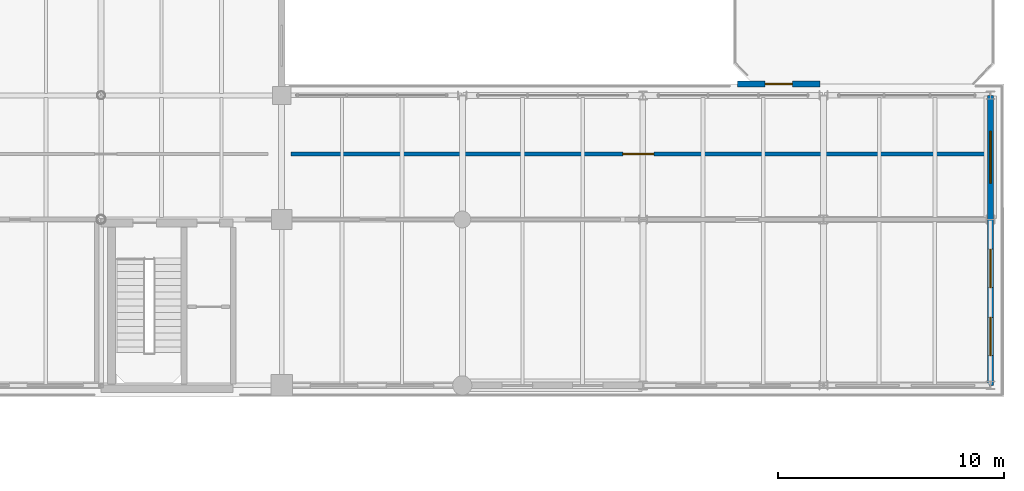
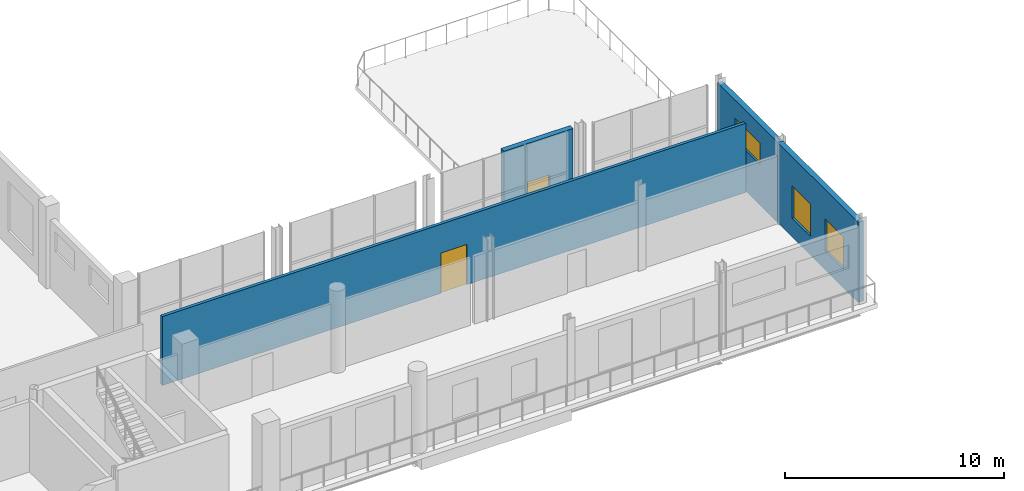
# One storey, part 39 of 51: 4 walls, 3 windows, 2 doors, 5 openings.
"""IFC4 building model written with IfcOpenShell, lengths in metres."""

from ifc_helpers import new_model, si_unit, direction, frame, frame_2d, origin, place, context, subcontext, project, spatial, rectangle, extrude, material, layer, layer_set, type_object, element, fill, save


model = new_model("IFC4")

# Units and contexts
model_context = context("Model", 3, precision=1e-05, world=origin(), true_north=direction((0.0, 1.0)))
body_context = subcontext(model_context, "Body", "Model", "MODEL_VIEW")
ifc_project = project(units=[si_unit("LENGTHUNIT", "METRE"), si_unit("AREAUNIT", "SQUARE_METRE"), si_unit("VOLUMEUNIT", "CUBIC_METRE"), si_unit("PLANEANGLEUNIT", "RADIAN"), si_unit("MASSUNIT", "GRAM", prefix="KILO")], contexts=[model_context])

# Site, building, storey
site_placement = place(None, origin())
site = spatial("IfcSite", under=ifc_project, at=site_placement, CompositionType="ELEMENT")
building_placement = place(site_placement, origin())
building = spatial("IfcBuilding", under=site, at=building_placement, Name="Brisemont Oceanarium", CompositionType="ELEMENT")
storey_placement = place(building_placement, frame((0.0, 0.0, 15.0)))
storey = spatial("IfcBuildingStorey", under=building, at=storey_placement, Name="L03", CompositionType="ELEMENT", Elevation=15.0)

# Wall, opening, door
ifc_material_1 = material(Name="Beaux-Arts Limestone Cladding Precast Concrete C40/50", Category="masonry")
ifc_layer_1 = layer(ifc_material_1, 0.280029296875)
ifc_layer_set_1 = layer_set([ifc_layer_1], Name="Beaux-Arts Limestone Cladding Precast Concrete C40/50")
wall_type_1 = type_object("IfcWallType", Name="EW-LIME-280", PredefinedType="STANDARD", material=ifc_layer_set_1)
wall_1_placement = place(storey_placement, frame((148.199951171875, 94.0, 0.0), z_axis=(0.0, 0.0, 1.0), x_axis=(1.0, 0.0, 0.0)))
wall_1 = element("IfcWall", 1, at=wall_1_placement, inside=storey, type_object=wall_type_1, Name="Beaux-Arts exterior wall EW-V6TER-L03", PredefinedType="STANDARD", context=body_context, shape_type="SweptSolid", body=[
    extrude(rectangle(XDim=3.64013671875, YDim=0.280029296875, at=frame_2d((1.820068359375, 0.0))), origin(), (0.0, 0.0, 1.0), 4.300048828125),
])
opening_1_placement = place(wall_1_placement, frame((1.219970703125, 0.0, 0.0)))
opening_1 = element("IfcOpeningElement", 2, at=opening_1_placement, cuts=wall_1, Name="Opening ED-02", PredefinedType="OPENING", context=body_context, shape_type="SweptSolid", body=[
    extrude(rectangle(XDim=1.199951171875, YDim=2.14990234375, at=frame_2d((0.60009765625, 1.074951171875))), frame((0.0, 0.14990234375, 0.0), z_axis=(0.0, -1.0, 0.0), x_axis=(1.0, 0.0, 0.0)), (0.0, 0.0, 1.0), 0.300048828125),
])
ifc_material_2 = material(Name="Anodized Extruded Aluminum 6063-T6", Category="aluminium")
door_type_1 = type_object("IfcDoorType", Name="DR-TER-1200X2150", OperationType="NOTDEFINED", PredefinedType="DOOR", material=ifc_material_2)
door_1_placement = place(opening_1_placement, origin())
door_1 = element("IfcDoor", 3, at=door_1_placement, inside=storey, type_object=door_type_1, Name="ED-02 exterior entrance door 10", OperationType="SINGLE_SWING_LEFT", OverallHeight=2.14990234375, OverallWidth=1.199951171875, PredefinedType="DOOR", context=body_context, shape_type="SweptSolid", body=[
    extrude(rectangle(XDim=1.199951171875, YDim=2.14990234375, at=frame_2d((0.60009765625, 1.074951171875))), frame((0.0, 0.02490234375, 0.0), z_axis=(0.0, -1.0, 0.0), x_axis=(1.0, 0.0, 0.0)), (0.0, 0.0, 1.0), 0.050048828125),
])
fill(opening_1, door_1)

# Wall, openings, windows
wall_2_placement = place(storey_placement, frame((159.39990234375, 80.64990234375, 0.0), z_axis=(0.0, 0.0, 1.0), x_axis=(0.0, 1.0, 0.0)))
wall_2 = element("IfcWall", 4, at=wall_2_placement, inside=storey, type_object=wall_type_1, Name="Beaux-Arts exterior wall EW-V6-E-L03-1", PredefinedType="STANDARD", context=body_context, shape_type="SweptSolid", body=[
    extrude(rectangle(XDim=7.35009765625, YDim=0.280029296875, at=frame_2d((3.675048828125, 0.0))), origin(), (0.0, 0.0, 1.0), 4.47998046875),
])
opening_2_placement = place(wall_2_placement, frame((1.316650390625, 0.0, 1.050048828125)))
opening_2 = element("IfcOpeningElement", 5, at=opening_2_placement, cuts=wall_2, Name="Opening WIN-11", PredefinedType="OPENING", context=body_context, shape_type="SweptSolid", body=[
    extrude(rectangle(XDim=1.699951171875, YDim=1.800048828125, at=frame_2d((0.85009765625, 0.89990234375))), frame((0.0, 0.14990234375, 0.0), z_axis=(0.0, -1.0, 0.0), x_axis=(1.0, 0.0, 0.0)), (0.0, 0.0, 1.0), 0.300048828125),
])
opening_3_placement = place(wall_2_placement, frame((4.333251953125, 0.0, 1.050048828125)))
opening_3 = element("IfcOpeningElement", 6, at=opening_3_placement, cuts=wall_2, Name="Opening WIN-11", PredefinedType="OPENING", context=body_context, shape_type="SweptSolid", body=[
    extrude(rectangle(XDim=1.699951171875, YDim=1.800048828125, at=frame_2d((0.85009765625, 0.89990234375))), frame((0.0, 0.14990234375, 0.0), z_axis=(0.0, -1.0, 0.0), x_axis=(1.0, 0.0, 0.0)), (0.0, 0.0, 1.0), 0.300048828125),
])
ifc_material_3 = material(Name="Insulated Low-E Laminated Glass", Category="glass")
window_type_1 = type_object("IfcWindowType", Name="WIN-LAB-1700X1800", PartitioningType="SINGLE_PANEL", PredefinedType="WINDOW", material=ifc_material_3)
window_1_placement = place(opening_2_placement, origin())
window_1 = element("IfcWindow", 7, at=window_1_placement, inside=storey, type_object=window_type_1, Name="WIN-11 facade window 119", OverallHeight=1.800048828125, OverallWidth=1.699951171875, PartitioningType="SINGLE_PANEL", PredefinedType="WINDOW", context=body_context, shape_type="SweptSolid", body=[
    extrude(rectangle(XDim=1.699951171875, YDim=1.800048828125, at=frame_2d((0.85009765625, 0.89990234375))), frame((0.0, 0.030029296875, 0.0), z_axis=(0.0, -1.0, 0.0), x_axis=(1.0, 0.0, 0.0)), (0.0, 0.0, 1.0), 0.06005859375),
])
fill(opening_2, window_1)
window_2_placement = place(opening_3_placement, origin())
window_2 = element("IfcWindow", 8, at=window_2_placement, inside=storey, type_object=window_type_1, Name="WIN-11 facade window 120", OverallHeight=1.800048828125, OverallWidth=1.699951171875, PartitioningType="SINGLE_PANEL", PredefinedType="WINDOW", context=body_context, shape_type="SweptSolid", body=[
    extrude(rectangle(XDim=1.699951171875, YDim=1.800048828125, at=frame_2d((0.85009765625, 0.89990234375))), frame((0.0, 0.030029296875, 0.0), z_axis=(0.0, -1.0, 0.0), x_axis=(1.0, 0.0, 0.0)), (0.0, 0.0, 1.0), 0.06005859375),
])
fill(opening_3, window_2)

# Wall, opening, window
wall_3_placement = place(storey_placement, frame((159.39990234375, 88.0, 0.0), z_axis=(0.0, 0.0, 1.0), x_axis=(0.0, 1.0, 0.0)))
wall_3 = element("IfcWall", 9, at=wall_3_placement, inside=storey, type_object=wall_type_1, Name="Beaux-Arts exterior wall EW-V6-E-L03-2", PredefinedType="STANDARD", context=body_context, shape_type="SweptSolid", body=[
    extrude(rectangle(XDim=5.5, YDim=0.280029296875, at=frame_2d((2.75, 0.0))), origin(), (0.0, 0.0, 1.0), 4.47998046875),
])
opening_4_placement = place(wall_3_placement, frame((1.60009765625, 0.0, 2.25)))
opening_4 = element("IfcOpeningElement", 10, at=opening_4_placement, cuts=wall_3, Name="Opening WIN-13", PredefinedType="OPENING", context=body_context, shape_type="SweptSolid", body=[
    extrude(rectangle(XDim=2.300048828125, YDim=1.199951171875, at=frame_2d((1.14990234375, 0.60009765625))), frame((0.0, 0.14990234375, 0.0), z_axis=(0.0, -1.0, 0.0), x_axis=(1.0, 0.0, 0.0)), (0.0, 0.0, 1.0), 0.300048828125),
])
ifc_material_4 = material(Name="Insulated Low-E Laminated Glass", Category="glass")
window_type_2 = type_object("IfcWindowType", Name="WIN-CLR-2300X1200", PartitioningType="SINGLE_PANEL", PredefinedType="WINDOW", material=ifc_material_4)
window_3_placement = place(opening_4_placement, origin())
window_3 = element("IfcWindow", 11, at=window_3_placement, inside=storey, type_object=window_type_2, Name="WIN-13 facade window 121", OverallHeight=1.199951171875, OverallWidth=2.300048828125, PartitioningType="SINGLE_PANEL", PredefinedType="WINDOW", context=body_context, shape_type="SweptSolid", body=[
    extrude(rectangle(XDim=2.300048828125, YDim=1.199951171875, at=frame_2d((1.14990234375, 0.60009765625))), frame((0.0, 0.030029296875, 0.0), z_axis=(0.0, -1.0, 0.0), x_axis=(1.0, 0.0, 0.0)), (0.0, 0.0, 1.0), 0.06005859375),
])
fill(opening_4, window_3)

# Wall, opening, door
ifc_material_5 = material(Name="Moisture-Resistant Gypsum Steel-Stud Partition", Category="steel")
ifc_layer_2 = layer(ifc_material_5, 0.159912109375)
ifc_layer_set_2 = layer_set([ifc_layer_2], Name="Moisture-Resistant Gypsum Steel-Stud Partition")
wall_type_2 = type_object("IfcWallType", Name="IW-FB-160", PredefinedType="PARTITIONING", material=ifc_layer_set_2)
wall_4_placement = place(storey_placement, frame((128.39990234375, 90.89990234375, 0.0), z_axis=(0.0, 0.0, 1.0), x_axis=(1.0, 0.0, 0.0)))
wall_4 = element("IfcWall", 12, at=wall_4_placement, inside=storey, type_object=wall_type_2, Name="Benthic Ecology Specimen Studio corridor partition", PredefinedType="PARTITIONING", context=body_context, shape_type="SweptSolid", body=[
    extrude(rectangle(XDim=30.800048828125, YDim=0.159912109375, at=frame_2d((15.39990234375, 0.0))), origin(), (0.0, 0.0, 1.0), 3.85693359375),
])
opening_5_placement = place(wall_4_placement, frame((14.7099609375, 0.0, 0.0)))
opening_5 = element("IfcOpeningElement", 13, at=opening_5_placement, cuts=wall_4, Name="Opening PD-01", PredefinedType="OPENING", context=body_context, shape_type="SweptSolid", body=[
    extrude(rectangle(XDim=1.3798828125, YDim=2.25, at=frame_2d((0.68994140625, 1.125))), frame((0.0, 0.08984375, 0.0), z_axis=(0.0, -1.0, 0.0), x_axis=(1.0, 0.0, 0.0)), (0.0, 0.0, 1.0), 0.179931640625),
])
ifc_material_6 = material(Name="Duplex Stainless Steel EN 1.4462", Category="steel")
door_type_2 = type_object("IfcDoorType", Name="DR-PLT-1380X2250", OperationType="NOTDEFINED", PredefinedType="DOOR", material=ifc_material_6)
door_2_placement = place(opening_5_placement, origin())
door_2 = element("IfcDoor", 14, at=door_2_placement, inside=storey, type_object=door_type_2, Name="PD-01 door to Benthic Ecology Specimen Studio", OperationType="SINGLE_SWING_LEFT", OverallHeight=2.25, OverallWidth=1.3798828125, PredefinedType="DOOR", context=body_context, shape_type="SweptSolid", body=[
    extrude(rectangle(XDim=1.3798828125, YDim=2.25, at=frame_2d((0.68994140625, 1.125))), frame((0.0, 0.02490234375, 0.0), z_axis=(0.0, -1.0, 0.0), x_axis=(1.0, 0.0, 0.0)), (0.0, 0.0, 1.0), 0.050048828125),
])
fill(opening_5, door_2)

save(model, "model.ifc")
